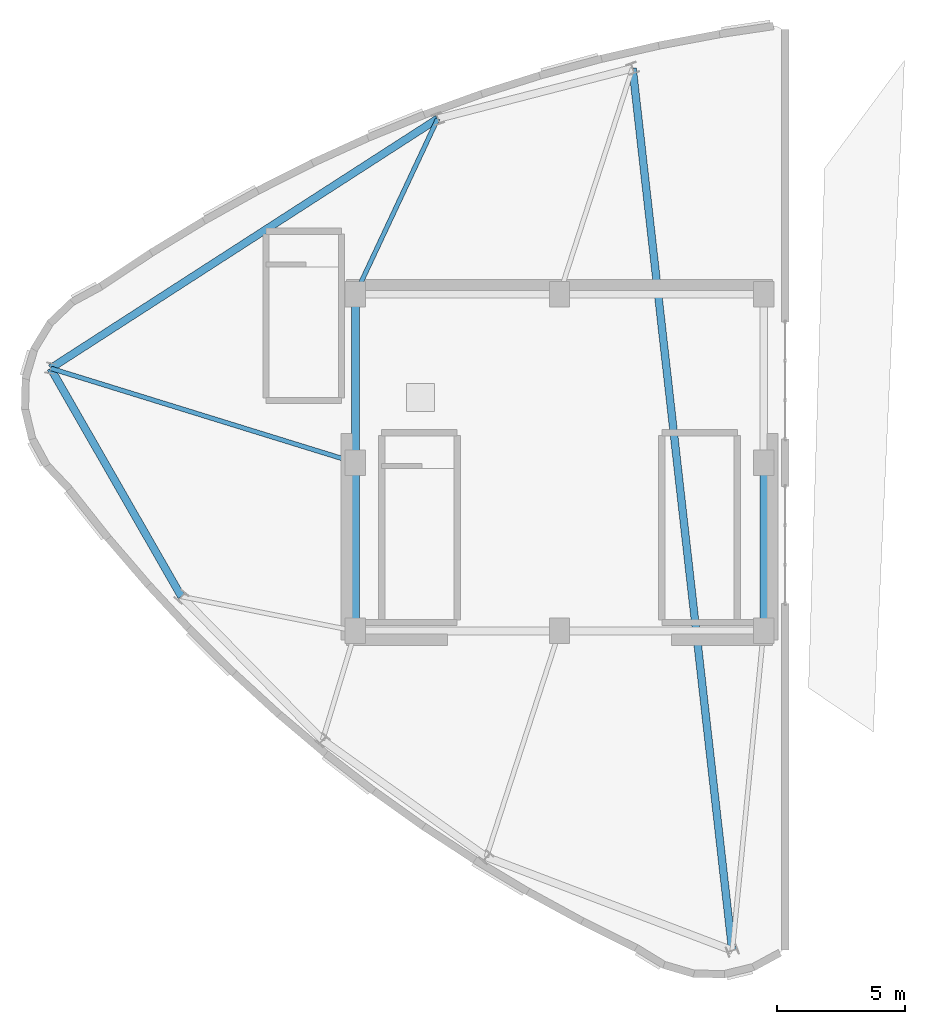
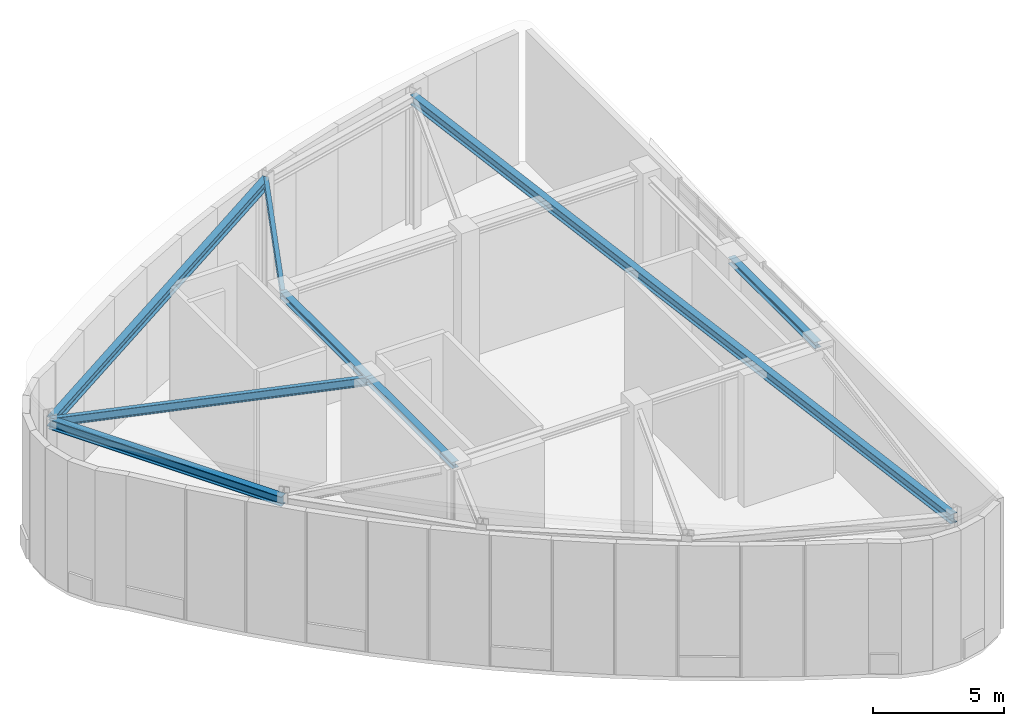
# One storey, part 3 of 9: 8 beams.
"""IFC4 building model written with IfcOpenShell, lengths in metres."""

from ifc_helpers import new_model, si_unit, direction, frame, origin, origin_2d, place, context, subcontext, project, spatial, i_section, extrude, material, material_profile, profile_set, type_object, element, save


model = new_model("IFC4")

# Units and contexts
model_context = context("Model", 3, precision=1e-05, world=origin(), true_north=direction((0.0, 1.0)))
body_context = subcontext(model_context, "Body", "Model", "MODEL_VIEW")
ifc_project = project(units=[si_unit("LENGTHUNIT", "METRE"), si_unit("AREAUNIT", "SQUARE_METRE"), si_unit("VOLUMEUNIT", "CUBIC_METRE"), si_unit("PLANEANGLEUNIT", "RADIAN"), si_unit("MASSUNIT", "GRAM", prefix="KILO")], contexts=[model_context])

# Site, building, storey
site_placement = place(None, origin())
site = spatial("IfcSite", under=ifc_project, at=site_placement, CompositionType="ELEMENT")
building_placement = place(site_placement, origin())
building = spatial("IfcBuilding", under=site, at=building_placement, Name="Ndelora Gate Hotel", CompositionType="ELEMENT")
storey_placement = place(building_placement, frame((0.0, 0.0, 311.60009765625)))
storey = spatial("IfcBuildingStorey", under=building, at=storey_placement, Name="RF2", CompositionType="ELEMENT", Elevation=311.60009765625)

# Beams
ifc_material = material(Name="Steel S355", Category="steel")
ifc_material_profile_1 = material_profile(ifc_material, i_section(OverallWidth=0.300048828125, OverallDepth=0.300048828125, WebThickness=0.010986328125, FlangeThickness=0.01904296875, FilletRadius=0.027099609375, at=origin_2d()), Name="HEB 300")
ifc_profile_set_1 = profile_set([ifc_material_profile_1], Name="Steel S355")
beam_type_1 = type_object("IfcBeamType", Name="BM-CORE-300", PredefinedType="BEAM", material=ifc_profile_set_1)
for number, where, z_axis, x_axis, name in (
    (1, (-8.0, -6.60009765625, 5.989990234375), (0.0, 1.0, 0.0), (-1.0, 0.0, 0.0), "RF2 Core Tie Girder CC1-CC8"),
    (2, (-8.0, 0.0, 5.989990234375), (0.0, 1.0, 0.0), (-1.0, 0.0, 0.0), "RF2 Core Tie Girder CC8-CC7"),
    (3, (8.0, -6.60009765625, 5.989990234375), (0.0, 1.0, 0.0), (-1.0, 0.0, 0.0), "RF2 Core Tie Girder CC3-CC4"),
):
    element("IfcBeam", number, at=place(storey_placement, frame(where, z_axis=z_axis, x_axis=x_axis)), inside=storey, type_object=beam_type_1, Name=name, PredefinedType="BEAM", context=body_context, shape_type="SweptSolid", body=[
        extrude(i_section(OverallWidth=0.300048828125, OverallDepth=0.300048828125, WebThickness=0.010986328125, FlangeThickness=0.01904296875, FilletRadius=0.027099609375, at=origin_2d()), origin(), (0.0, 0.0, 1.0), 6.60009765625),
    ])
ifc_material_profile_2 = material_profile(ifc_material, i_section(OverallWidth=0.179931640625, OverallDepth=0.39990234375, WebThickness=0.008544921875, FlangeThickness=0.013427734375, FilletRadius=0.02099609375, at=origin_2d()), Name="IPE 400")
ifc_profile_set_2 = profile_set([ifc_material_profile_2], Name="Steel S355")
beam_type_2 = type_object("IfcBeamType", Name="BM-RAD-400", PredefinedType="BEAM", material=ifc_profile_set_2)
beam_1_placement = place(storey_placement, frame((-8.0, 0.0, 5.93994140625), z_axis=(-0.955314894525, 0.295590007101, 0.0), x_axis=(-0.295590007101, -0.955314894525, 0.0)))
element("IfcBeam", 4, at=beam_1_placement, inside=storey, type_object=beam_type_2, Name="RF2 structural beam FB-5", PredefinedType="BEAM", context=body_context, shape_type="SweptSolid", body=[
    extrude(i_section(OverallWidth=0.179931640625, OverallDepth=0.39990234375, WebThickness=0.008544921875, FlangeThickness=0.013427734375, FilletRadius=0.02099609375, at=origin_2d()), origin(), (0.0, 0.0, 1.0), 12.509033203125),
])
beam_2_placement = place(storey_placement, frame((-8.0, 6.60009765625, 5.93994140625), z_axis=(0.424367218072, 0.905490178978, 0.0), x_axis=(-0.905490178978, 0.424367218072, 0.0)))
element("IfcBeam", 5, at=beam_2_placement, inside=storey, type_object=beam_type_2, Name="RF2 structural beam FB-5", PredefinedType="BEAM", context=body_context, shape_type="SweptSolid", body=[
    extrude(i_section(OverallWidth=0.179931640625, OverallDepth=0.39990234375, WebThickness=0.008544921875, FlangeThickness=0.013427734375, FilletRadius=0.02099609375, at=origin_2d()), origin(), (0.0, 0.0, 1.0), 7.600830078125),
])
ifc_material_profile_3 = material_profile(ifc_material, i_section(OverallWidth=0.300048828125, OverallDepth=0.449951171875, WebThickness=0.013916015625, FlangeThickness=0.02587890625, FilletRadius=0.027099609375, at=origin_2d()), Name="HEB 450")
ifc_profile_set_3 = profile_set([ifc_material_profile_3], Name="Steel S355")
beam_type_3 = type_object("IfcBeamType", Name="BM-RING-450", PredefinedType="SPANDREL", material=ifc_profile_set_3)
beam_3_placement = place(storey_placement, frame((-19.949951171875, 3.697509765625, 5.914794921875), z_axis=(0.497255333538, -0.867604249222, 0.0), x_axis=(0.867604249222, 0.497255333538, 0.0)))
element("IfcBeam", 6, at=beam_3_placement, inside=storey, type_object=beam_type_3, Name="RF2 structural beam RB-5", PredefinedType="SPANDREL", context=body_context, shape_type="SweptSolid", body=[
    extrude(i_section(OverallWidth=0.300048828125, OverallDepth=0.449951171875, WebThickness=0.013916015625, FlangeThickness=0.02587890625, FilletRadius=0.027099609375, at=origin_2d()), origin(), (0.0, 0.0, 1.0), 10.3115234375),
])
beam_4_placement = place(storey_placement, frame((6.772705078125, -19.1259765625, 5.914794921875), z_axis=(-0.11225355061, 0.993679596437, 0.0), x_axis=(-0.993679596437, -0.11225355061, 0.0)))
element("IfcBeam", 7, at=beam_4_placement, inside=storey, type_object=beam_type_3, Name="RF2 structural beam RB-5", PredefinedType="SPANDREL", context=body_context, shape_type="SweptSolid", body=[
    extrude(i_section(OverallWidth=0.300048828125, OverallDepth=0.449951171875, WebThickness=0.013916015625, FlangeThickness=0.02587890625, FilletRadius=0.027099609375, at=origin_2d()), origin(), (0.0, 0.0, 1.0), 34.80712890625),
])
beam_5_placement = place(storey_placement, frame((-4.7744140625, 13.482666015625, 5.914794921875), z_axis=(-0.840435702398, -0.541911275151, 0.0), x_axis=(0.541911275151, -0.840435702398, 0.0)))
element("IfcBeam", 8, at=beam_5_placement, inside=storey, type_object=beam_type_3, Name="RF2 structural beam RB-5", PredefinedType="SPANDREL", context=body_context, shape_type="SweptSolid", body=[
    extrude(i_section(OverallWidth=0.300048828125, OverallDepth=0.449951171875, WebThickness=0.013916015625, FlangeThickness=0.02587890625, FilletRadius=0.027099609375, at=origin_2d()), origin(), (0.0, 0.0, 1.0), 18.056640625),
])

save(model, "model.ifc")
